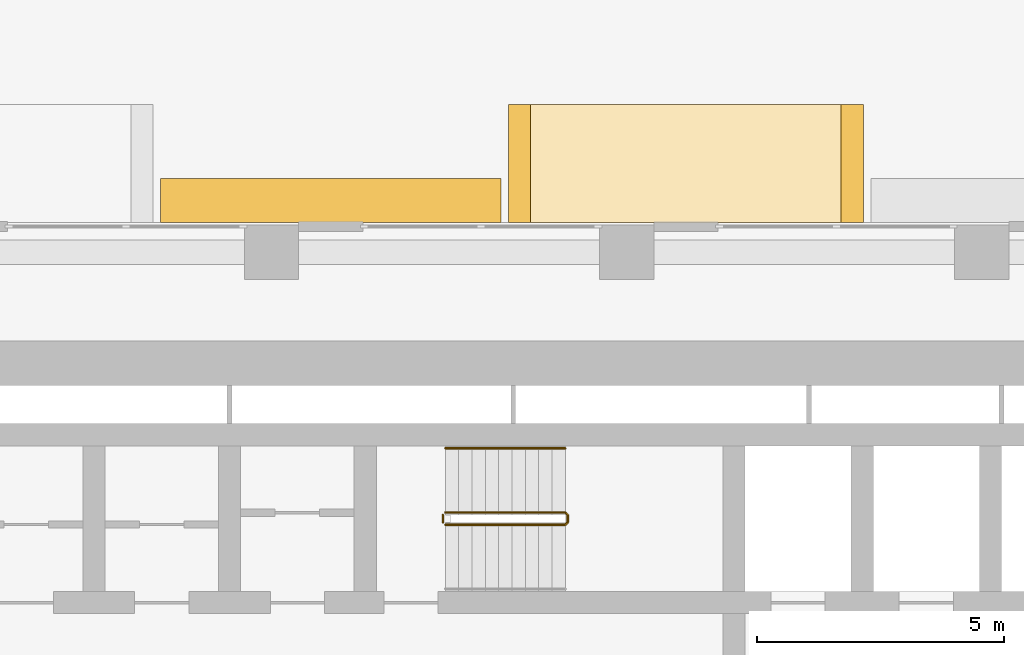
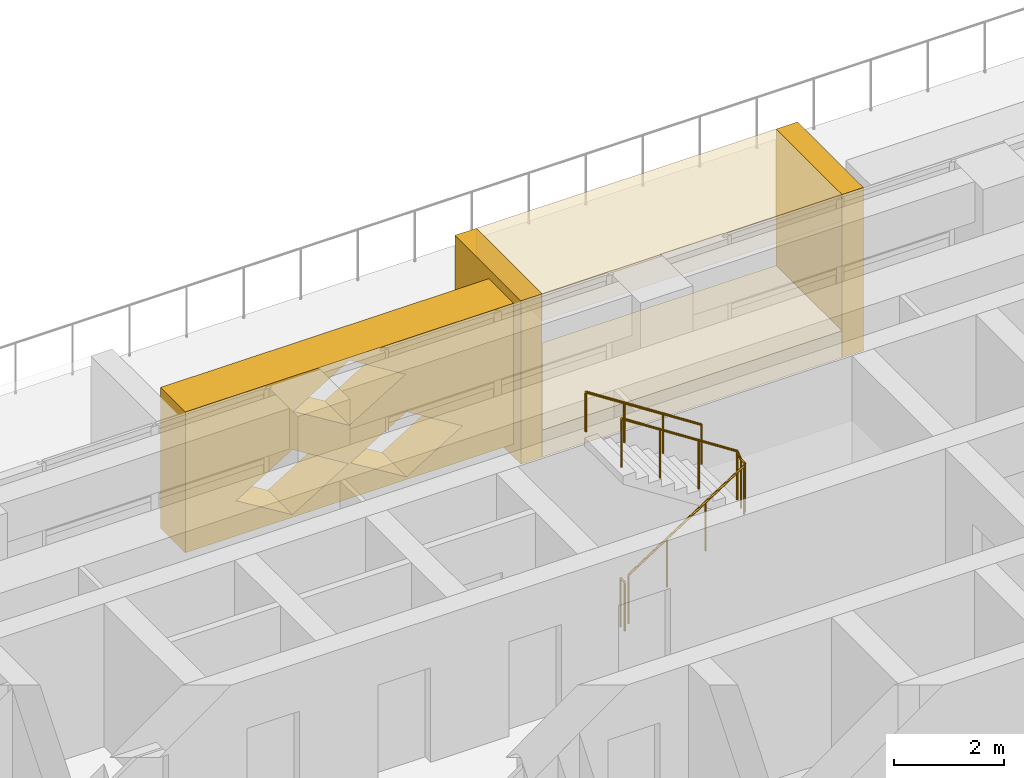
# One storey, part 22 of 24: 5 coverings, 3 railings.
"""IFC4 building model written with IfcOpenShell, lengths in metres."""

from ifc_helpers import new_model, si_unit, direction, frame, origin, origin_2d, place, context, subcontext, project, spatial, polyline, circle, outline, extrude, material, type_object, element, save


model = new_model("IFC4")

# Units and contexts
model_context = context("Model", 3, precision=1e-05, world=origin(), true_north=direction((0.0, 1.0)))
body_context = subcontext(model_context, "Body", "Model", "MODEL_VIEW")
ifc_project = project(units=[si_unit("LENGTHUNIT", "METRE"), si_unit("AREAUNIT", "SQUARE_METRE"), si_unit("VOLUMEUNIT", "CUBIC_METRE"), si_unit("PLANEANGLEUNIT", "RADIAN"), si_unit("MASSUNIT", "GRAM", prefix="KILO")], contexts=[model_context])

# Site, building, storey
site_placement = place(None, origin())
site = spatial("IfcSite", under=ifc_project, at=site_placement, CompositionType="ELEMENT")
building_placement = place(site_placement, origin())
building = spatial("IfcBuilding", under=site, at=building_placement, Name="Saffron Iwan Residences", CompositionType="ELEMENT")
storey_placement = place(building_placement, frame((0.0, 0.0, 27.0)))
storey = spatial("IfcBuildingStorey", under=building, at=storey_placement, Name="L05", CompositionType="ELEMENT", Elevation=27.0)

# Covering
ifc_material_1 = material(Name="Precast concrete C40/50", Category="concrete")
covering_type_1 = type_object("IfcCoveringType", Name="OUTER SKIN LATTICE SCREEN", PredefinedType="CLADDING", material=ifc_material_1)
covering_placement = place(storey_placement, frame((55.050048828125, 80.39990234375, 0.050048828125), z_axis=(0.0, 1.0, 0.0), x_axis=(-1.0, 0.0, 0.0)))
element("IfcCovering", 1, at=covering_placement, inside=storey, type_object=covering_type_1, Name="OUTER SKIN lattice screen L05 F5.2", PredefinedType="CLADDING", context=body_context, shape_type="SweptSolid", body=[
    extrude(outline(polyline([(0.0, 0.0), (6.89990234375, 0.0), (6.89990234375, 3.1298828125), (0.0, 3.1298828125), (0.0, 0.0)]), holes=[polyline([(1.070068359375, 0.782470703125), (2.25, 0.06005859375), (3.429931640625, 0.782470703125), (2.25, 1.5048828125), (1.070068359375, 0.782470703125)]), polyline([(3.469970703125, 0.782470703125), (4.64990234375, 0.06005859375), (5.830078125, 0.782470703125), (4.64990234375, 1.5048828125), (3.469970703125, 0.782470703125)]), polyline([(2.27001953125, 2.347412109375), (3.449951171875, 1.625), (4.6298828125, 2.347412109375), (3.449951171875, 3.070068359375), (2.27001953125, 2.347412109375)])]), origin(), (0.0, 0.0, 1.0), 0.900146484375),
])

# Railings
ifc_material_2 = material(Name="Steel S355", Category="steel")
railing_type_1 = type_object("IfcRailingType", Name="Stair guard 1100", PredefinedType="GUARDRAIL", material=ifc_material_2)
railing_1_placement = place(storey_placement, frame((53.925048828125, 74.27490234375, 0.175048828125)))
element("IfcRailing", 2, at=railing_1_placement, inside=storey, type_object=railing_type_1, Name="L05 ST-C stair guard 1", PredefinedType="GUARDRAIL", context=body_context, shape_type="SweptSolid", body=[
    extrude(circle(Radius=0.02392578125, at=origin_2d()), frame((0.0, 0.0, 1.076171875), z_axis=(0.839153699163, 0.0, 0.543894354798), x_axis=(0.0, 1.0, 0.0)), (0.0, 0.0, 1.0), 2.895751953125),
    extrude(circle(Radius=0.02392578125, at=origin_2d()), frame((2.429931640625, 0.0, 2.65087890625), z_axis=(0.707106781187, 0.707106781187, 0.0), x_axis=(-0.707106781187, 0.707106781187, 0.0)), (0.0, 0.0, 1.0), 0.07080078125),
    extrude(circle(Radius=0.02392578125, at=origin_2d()), frame((2.47998046875, 0.050048828125, 2.65087890625), z_axis=(0.0, 1.0, 0.0), x_axis=(-1.0, 0.0, 0.0)), (0.0, 0.0, 1.0), 0.150146484375),
    extrude(circle(Radius=0.02392578125, at=origin_2d()), frame((2.47998046875, 0.2001953125, 2.65087890625), z_axis=(-0.265155923931, 0.263862480399, 0.927399011991), x_axis=(-0.705375805398, -0.708833529934, 0.0)), (0.0, 0.0, 1.0), 0.188720703125),
    extrude(circle(Radius=0.02392578125, at=origin_2d()), frame((2.429931640625, 0.25, 2.826171875), z_axis=(-0.839153699163, 0.0, 0.543894354798), x_axis=(0.0, -1.0, 0.0)), (0.0, 0.0, 1.0), 2.895751953125),
    extrude(circle(Radius=0.02099609375, at=origin_2d()), origin(), (0.0, 0.0, 1.0), 1.052001953125),
    extrude(circle(Radius=0.02099609375, at=origin_2d()), frame((0.81005859375, 0.0, 0.52490234375)), (0.0, 0.0, 1.0), 1.052001953125),
    extrude(circle(Radius=0.02099609375, at=origin_2d()), frame((1.619873046875, 0.0, 1.050048828125)), (0.0, 0.0, 1.0), 1.052001953125),
    extrude(circle(Radius=0.02099609375, at=origin_2d()), frame((2.429931640625, 0.0, 1.574951171875)), (0.0, 0.0, 1.0), 1.052001953125),
    extrude(circle(Radius=0.02099609375, at=origin_2d()), frame((2.47998046875, 0.050048828125, 1.574951171875)), (0.0, 0.0, 1.0), 1.052001953125),
    extrude(circle(Radius=0.02099609375, at=origin_2d()), frame((2.47998046875, 0.2001953125, 1.574951171875)), (0.0, 0.0, 1.0), 1.052001953125),
    extrude(circle(Radius=0.02099609375, at=origin_2d()), frame((2.429931640625, 0.25, 1.75)), (0.0, 0.0, 1.0), 1.052001953125),
    extrude(circle(Radius=0.02099609375, at=origin_2d()), frame((1.619873046875, 0.25, 2.27490234375)), (0.0, 0.0, 1.0), 1.052001953125),
    extrude(circle(Radius=0.02099609375, at=origin_2d()), frame((0.81005859375, 0.25, 2.800048828125)), (0.0, 0.0, 1.0), 1.052001953125),
    extrude(circle(Radius=0.02099609375, at=origin_2d()), frame((0.0, 0.25, 3.324951171875)), (0.0, 0.0, 1.0), 1.052001953125),
])
railing_2_placement = place(storey_placement, frame((53.875, 74.324951171875, 0.0)))
element("IfcRailing", 3, at=railing_2_placement, inside=storey, type_object=railing_type_1, Name="L05 ST-C stair guard 2", PredefinedType="GUARDRAIL", context=body_context, shape_type="SweptSolid", body=[
    extrude(circle(Radius=0.02392578125, at=origin_2d()), frame((0.0, 0.0, 1.076171875), z_axis=(0.0, 1.0, 0.0), x_axis=(-1.0, 0.0, 0.0)), (0.0, 0.0, 1.0), 0.150146484375),
    extrude(circle(Radius=0.02099609375, at=origin_2d()), origin(), (0.0, 0.0, 1.0), 1.052001953125),
    extrude(circle(Radius=0.02099609375, at=origin_2d()), frame((0.0, 0.150146484375, 0.0)), (0.0, 0.0, 1.0), 1.052001953125),
])
ifc_material_3 = material(Name="Stainless steel 316", Category="steel")
railing_type_2 = type_object("IfcRailingType", Name="Stair handrail 900", PredefinedType="HANDRAIL", material=ifc_material_3)
railing_3_placement = place(storey_placement, frame((56.35498046875, 75.824951171875, 1.925048828125)))
element("IfcRailing", 4, at=railing_3_placement, inside=storey, type_object=railing_type_2, Name="L05 ST-C stair handrail 2", PredefinedType="HANDRAIL", context=body_context, shape_type="SweptSolid", body=[
    extrude(circle(Radius=0.02392578125, at=origin_2d()), frame((0.0, 0.0, 0.8759765625), z_axis=(-0.839153699163, 0.0, 0.543894354798), x_axis=(0.0, -1.0, 0.0)), (0.0, 0.0, 1.0), 2.895751953125),
    extrude(circle(Radius=0.02099609375, at=origin_2d()), origin(), (0.0, 0.0, 1.0), 0.851806640625),
    extrude(circle(Radius=0.02099609375, at=origin_2d()), frame((-0.81005859375, 0.0, 0.52490234375)), (0.0, 0.0, 1.0), 0.851806640625),
    extrude(circle(Radius=0.02099609375, at=origin_2d()), frame((-1.619873046875, 0.0, 1.050048828125)), (0.0, 0.0, 1.0), 0.851806640625),
    extrude(circle(Radius=0.02099609375, at=origin_2d()), frame((-2.429931640625, 0.0, 1.574951171875)), (0.0, 0.0, 1.0), 0.851806640625),
])

# Coverings
ifc_material_4 = material(Name="Precast concrete C40/50 white painted", Category="concrete")
covering_type_2 = type_object("IfcCoveringType", Name="WHITE SUN FRAME PRECAST", PredefinedType="CLADDING", material=ifc_material_4)
for number, where, z_axis, x_axis, name in (
    (5, (62.39990234375, 80.39990234375, -0.449951171875), (0.0, 1.0, 0.0), (-1.0, 0.0, 0.0), "Sun frame L05 F5 20.4a"),
    (6, (55.64990234375, 80.39990234375, -0.449951171875), (0.0, 1.0, 0.0), (-1.0, 0.0, 0.0), "Sun frame L05 F5 20.4b"),
):
    element("IfcCovering", number, at=place(storey_placement, frame(where, z_axis=z_axis, x_axis=x_axis)), inside=storey, type_object=covering_type_2, Name=name, PredefinedType="CLADDING", context=body_context, shape_type="SweptSolid", body=[
        extrude(outline(polyline([(0.0, 0.0), (0.449951171875, 0.0), (0.449951171875, 3.6298828125), (0.0, 3.6298828125), (0.0, 0.0)])), origin(), (0.0, 0.0, 1.0), 2.400146484375),
    ])
for number, where, z_axis, x_axis, name in (
    (7, (61.949951171875, 80.39990234375, 2.580078125), (0.0, 1.0, 0.0), (-1.0, 0.0, 0.0), "Sun frame L05 F5 20.4h"),
    (8, (61.949951171875, 80.39990234375, -0.449951171875), (0.0, 1.0, 0.0), (-1.0, 0.0, 0.0), "Sun frame L05 F5 20.4s"),
):
    element("IfcCovering", number, at=place(storey_placement, frame(where, z_axis=z_axis, x_axis=x_axis)), inside=storey, type_object=covering_type_2, Name=name, PredefinedType="CLADDING", context=body_context, shape_type="SweptSolid", body=[
        extrude(outline(polyline([(0.0, 0.0), (6.300048828125, 0.0), (6.300048828125, 0.60009765625), (0.0, 0.60009765625), (0.0, 0.0)])), origin(), (0.0, 0.0, 1.0), 2.400146484375),
    ])

save(model, "model.ifc")
